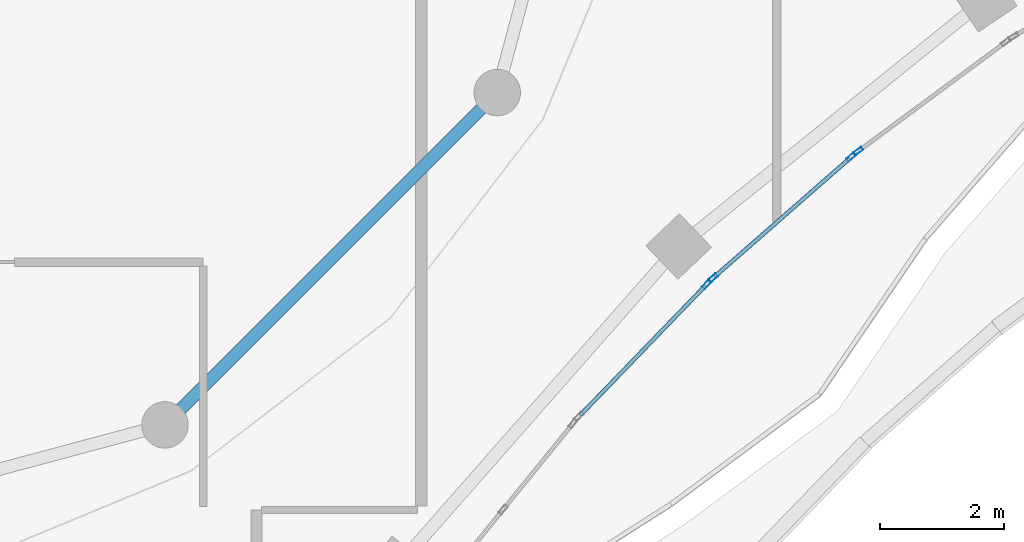
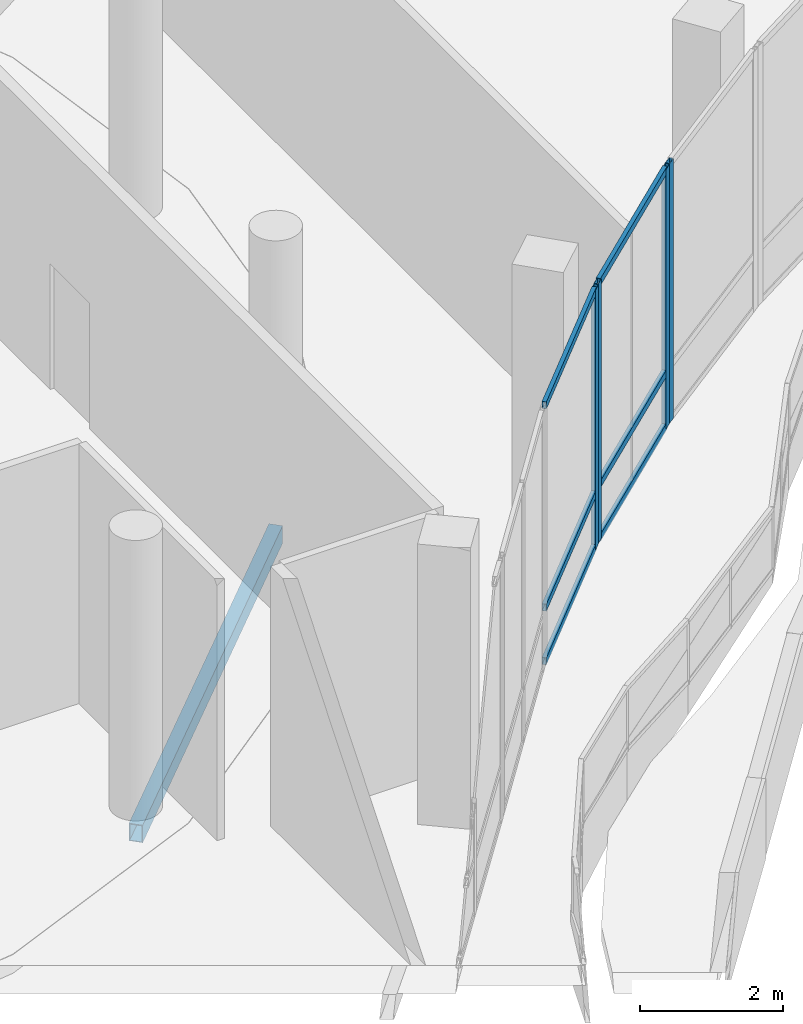
# One storey, part 62 of 168: 10 members, 1 beam, 3 elements without a shape of their own.
"""IFC4 building model written with IfcOpenShell, lengths in metres."""

from ifc_helpers import new_model, si_unit, direction, frame, origin, origin_2d, place, context, subcontext, project, spatial, hollow_rectangle, extrude, material, material_profile, profile_set, type_object, element, aggregate, save


model = new_model("IFC4")

# Units and contexts
model_context = context("Model", 3, precision=1e-05, world=origin(), true_north=direction((0.0, 1.0)))
body_context = subcontext(model_context, "Body", "Model", "MODEL_VIEW")
ifc_project = project(units=[si_unit("LENGTHUNIT", "METRE"), si_unit("AREAUNIT", "SQUARE_METRE"), si_unit("VOLUMEUNIT", "CUBIC_METRE"), si_unit("PLANEANGLEUNIT", "RADIAN"), si_unit("MASSUNIT", "GRAM", prefix="KILO")], contexts=[model_context])

# Site, building, storey
site_placement = place(None, origin())
site = spatial("IfcSite", under=ifc_project, at=site_placement, CompositionType="ELEMENT")
building_placement = place(site_placement, origin())
building = spatial("IfcBuilding", under=site, at=building_placement, Name="Selatvlak General Hospital", CompositionType="ELEMENT")
storey_placement = place(building_placement, frame((0.0, 0.0, 5.39990234375)))
storey = spatial("IfcBuildingStorey", under=building, at=storey_placement, Name="L01", CompositionType="ELEMENT", Elevation=5.39990234375)

# Beam
ifc_material_1 = material(Name="Steel S355", Category="steel")
ifc_material_profile_1 = material_profile(ifc_material_1, hollow_rectangle(XDim=0.199951171875, YDim=0.300048828125, WallThickness=0.011962890625, at=origin_2d()), Name="RHS 300x200x12")
ifc_profile_set_1 = profile_set([ifc_material_profile_1], Name="Steel S355")
beam_type = type_object("IfcBeamType", Name="BM-SP3", PredefinedType="SPANDREL", material=ifc_profile_set_1)
beam_placement = place(storey_placement, frame((105.324951171875, 41.31298828125, -0.469970703125), z_axis=(0.707106781187, 0.707106781187, 0.0), x_axis=(-0.707106781187, 0.707106781187, 0.0)))
element("IfcBeam", 1, at=beam_placement, inside=storey, type_object=beam_type, Name="Beam BMR-L01-0709", PredefinedType="SPANDREL", context=body_context, shape_type="SweptSolid", body=[
    extrude(hollow_rectangle(XDim=0.199951171875, YDim=0.300048828125, WallThickness=0.011962890625, at=origin_2d()), origin(), (0.0, 0.0, 1.0), 7.5830078125),
])

# Curtain wall, member
ifc_material_2 = material(Name="Solar-control Low-E double glazing", Category="glass")
curtain_wall_type_1 = type_object("IfcCurtainWallType", Name="CW-CW-02", PredefinedType="USERDEFINED", material=ifc_material_2)
curtain_wall_1_placement = place(storey_placement, origin())
curtain_wall_1 = element("IfcCurtainWall", 2, at=curtain_wall_1_placement, inside=storey, type_object=curtain_wall_type_1, Name="Glazed facade curtain wall CW-L01-0160", ObjectType="UNITISED CURTAIN WALL", PredefinedType="USERDEFINED")
ifc_material_3 = material(Name="Dark anodised aluminium mullion", Category="aluminium")
ifc_material_profile_2 = material_profile(ifc_material_3, hollow_rectangle(XDim=0.06494140625, YDim=0.159912109375, WallThickness=0.00390625, at=origin_2d()), Name="AL-MUL 65x160x4")
ifc_profile_set_2 = profile_set([ifc_material_profile_2], Name="Dark anodised aluminium mullion")
member_type_1 = type_object("IfcMemberType", Name="CWM-01", PredefinedType="MULLION", material=ifc_profile_set_2)
member_1_placement = place(storey_placement, frame((116.51220703125, 45.729248046875, 0.0), z_axis=(0.0, 0.0, 1.0), x_axis=(0.594604312607, -0.804018477045, 0.0)))
member_1 = element("IfcMember", 3, at=member_1_placement, type_object=member_type_1, Name="CW-02 mullion 2", PredefinedType="MULLION", context=body_context, shape_type="SweptSolid", body=[
    extrude(hollow_rectangle(XDim=0.06494140625, YDim=0.159912109375, WallThickness=0.00390625, at=origin_2d()), origin(), (0.0, 0.0, 1.0), 4.445068359375),
])
aggregate(curtain_wall_1, [member_1])

# Curtain wall, members
curtain_wall_type_2 = type_object("IfcCurtainWallType", Name="CW-CW-01", PredefinedType="USERDEFINED", material=ifc_material_2)
curtain_wall_2_placement = place(storey_placement, origin())
curtain_wall_2 = element("IfcCurtainWall", 4, at=curtain_wall_2_placement, inside=storey, type_object=curtain_wall_type_2, Name="Glazed facade curtain wall CW-L01-0161", ObjectType="UNITISED CURTAIN WALL", PredefinedType="USERDEFINED")
member_2_placement = place(storey_placement, frame((116.400634765625, 45.636474609375, 0.0), z_axis=(0.0, 0.0, 1.0), x_axis=(0.658878257256, -0.752249587647, 0.0)))
member_2 = element("IfcMember", 5, at=member_2_placement, type_object=member_type_1, Name="CW-01 mullion 1", PredefinedType="MULLION", context=body_context, shape_type="SweptSolid", body=[
    extrude(hollow_rectangle(XDim=0.06494140625, YDim=0.159912109375, WallThickness=0.00390625, at=origin_2d()), origin(), (0.0, 0.0, 1.0), 4.445068359375),
])
member_3_placement = place(storey_placement, frame((114.16943359375, 43.682373046875, 0.0), z_axis=(0.0, 0.0, 1.0), x_axis=(0.658878257256, -0.752249587647, 0.0)))
member_3 = element("IfcMember", 6, at=member_3_placement, type_object=member_type_1, Name="CW-01 mullion 2", PredefinedType="MULLION", context=body_context, shape_type="SweptSolid", body=[
    extrude(hollow_rectangle(XDim=0.06494140625, YDim=0.159912109375, WallThickness=0.00390625, at=origin_2d()), origin(), (0.0, 0.0, 1.0), 4.445068359375),
])

# Curtain wall, member
curtain_wall_3_placement = place(storey_placement, origin())
curtain_wall_3 = element("IfcCurtainWall", 7, at=curtain_wall_3_placement, inside=storey, type_object=curtain_wall_type_1, Name="Glazed facade curtain wall CW-L01-0162", ObjectType="UNITISED CURTAIN WALL", PredefinedType="USERDEFINED")
member_4_placement = place(storey_placement, frame((114.06640625, 43.58056640625, 0.0), z_axis=(0.0, 0.0, 1.0), x_axis=(0.719196973261, -0.694806241805, 0.0)))
member_4 = element("IfcMember", 8, at=member_4_placement, type_object=member_type_1, Name="CW-02 mullion 1", PredefinedType="MULLION", context=body_context, shape_type="SweptSolid", body=[
    extrude(hollow_rectangle(XDim=0.06494140625, YDim=0.159912109375, WallThickness=0.00390625, at=origin_2d()), origin(), (0.0, 0.0, 1.0), 4.445068359375),
])

# Member
ifc_material_profile_3 = material_profile(ifc_material_3, hollow_rectangle(XDim=0.06494140625, YDim=0.1201171875, WallThickness=0.00390625, at=origin_2d()), Name="AL-TRN 65x120x4")
ifc_profile_set_3 = profile_set([ifc_material_profile_3], Name="Dark anodised aluminium mullion")
member_type_2 = type_object("IfcMemberType", Name="CWT-01", PredefinedType="USERDEFINED", material=ifc_profile_set_3)
member_5_placement = place(storey_placement, frame((116.376220703125, 45.615234375, 0.03271484375), z_axis=(-0.752269034196, -0.658856054225, 0.0), x_axis=(0.658856054225, -0.752269034196, 0.0)))
member_5 = element("IfcMember", 9, at=member_5_placement, type_object=member_type_2, Name="CW-01 transom 1.1", ObjectType="TRANSOM", PredefinedType="USERDEFINED", context=body_context, shape_type="SweptSolid", body=[
    extrude(hollow_rectangle(XDim=0.06494140625, YDim=0.1201171875, WallThickness=0.00390625, at=origin_2d()), origin(), (0.0, 0.0, 1.0), 2.901123046875),
])

member_6_placement = place(storey_placement, frame((116.376220703125, 45.615234375, 0.9501953125), z_axis=(-0.752269034196, -0.658856054225, 0.0), x_axis=(0.658856054225, -0.752269034196, 0.0)))
member_6 = element("IfcMember", 10, at=member_6_placement, type_object=member_type_2, Name="CW-01 transom 1.2", ObjectType="TRANSOM", PredefinedType="USERDEFINED", context=body_context, shape_type="SweptSolid", body=[
    extrude(hollow_rectangle(XDim=0.06494140625, YDim=0.1201171875, WallThickness=0.00390625, at=origin_2d()), origin(), (0.0, 0.0, 1.0), 2.901123046875),
])

member_7_placement = place(storey_placement, frame((116.376220703125, 45.615234375, 4.41259765625), z_axis=(-0.752269034196, -0.658856054225, 0.0), x_axis=(0.658856054225, -0.752269034196, 0.0)))
member_7 = element("IfcMember", 11, at=member_7_placement, type_object=member_type_2, Name="CW-01 transom 1.3", ObjectType="TRANSOM", PredefinedType="USERDEFINED", context=body_context, shape_type="SweptSolid", body=[
    extrude(hollow_rectangle(XDim=0.06494140625, YDim=0.1201171875, WallThickness=0.00390625, at=origin_2d()), origin(), (0.0, 0.0, 1.0), 2.901123046875),
])

aggregate(curtain_wall_2, [member_2, member_3, member_5, member_6, member_7])

member_8_placement = place(storey_placement, frame((114.0439453125, 43.557373046875, 0.03271484375), z_axis=(-0.694812020929, -0.719191390085, 0.0), x_axis=(0.719191390085, -0.694812020929, 0.0)))
member_8 = element("IfcMember", 12, at=member_8_placement, type_object=member_type_2, Name="CW-02 transom 1.1", ObjectType="TRANSOM", PredefinedType="USERDEFINED", context=body_context, shape_type="SweptSolid", body=[
    extrude(hollow_rectangle(XDim=0.06494140625, YDim=0.1201171875, WallThickness=0.00390625, at=origin_2d()), origin(), (0.0, 0.0, 1.0), 2.904052734375),
])

member_9_placement = place(storey_placement, frame((114.0439453125, 43.557373046875, 0.9501953125), z_axis=(-0.694812020929, -0.719191390085, 0.0), x_axis=(0.719191390085, -0.694812020929, 0.0)))
member_9 = element("IfcMember", 13, at=member_9_placement, type_object=member_type_2, Name="CW-02 transom 1.2", ObjectType="TRANSOM", PredefinedType="USERDEFINED", context=body_context, shape_type="SweptSolid", body=[
    extrude(hollow_rectangle(XDim=0.06494140625, YDim=0.1201171875, WallThickness=0.00390625, at=origin_2d()), origin(), (0.0, 0.0, 1.0), 2.904052734375),
])

member_10_placement = place(storey_placement, frame((114.0439453125, 43.557373046875, 4.41259765625), z_axis=(-0.694812020929, -0.719191390085, 0.0), x_axis=(0.719191390085, -0.694812020929, 0.0)))
member_10 = element("IfcMember", 14, at=member_10_placement, type_object=member_type_2, Name="CW-02 transom 1.3", ObjectType="TRANSOM", PredefinedType="USERDEFINED", context=body_context, shape_type="SweptSolid", body=[
    extrude(hollow_rectangle(XDim=0.06494140625, YDim=0.1201171875, WallThickness=0.00390625, at=origin_2d()), origin(), (0.0, 0.0, 1.0), 2.904052734375),
])

aggregate(curtain_wall_3, [member_4, member_8, member_9, member_10])

save(model, "model.ifc")
